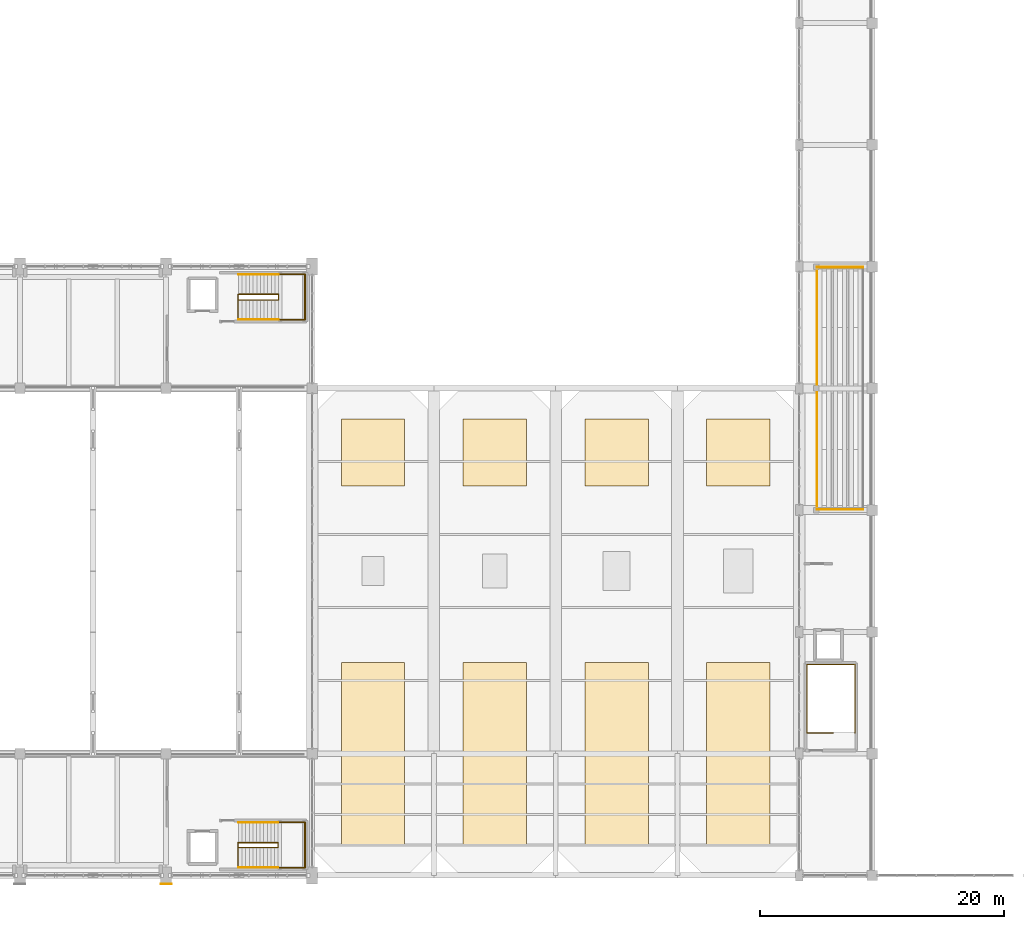
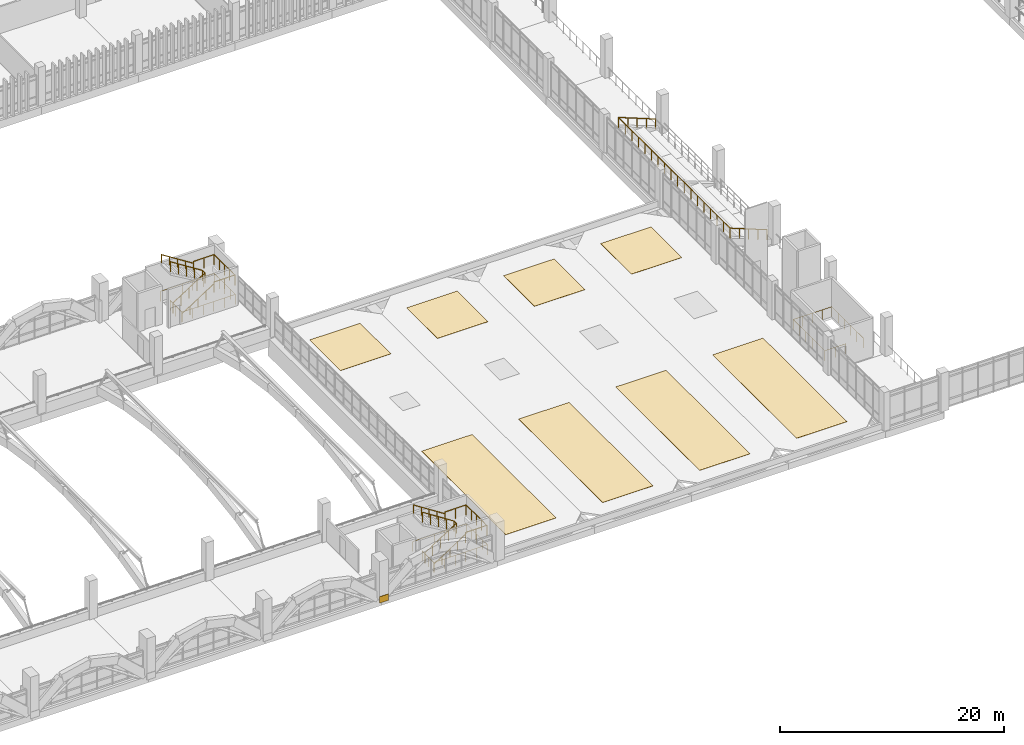
# One storey, part 157 of 161: 14 railings, 9 coverings.
"""IFC4 building model written with IfcOpenShell, lengths in metres."""

from ifc_helpers import new_model, si_unit, direction, frame, origin, origin_2d, place, context, subcontext, project, spatial, polyline, circle, outline, extrude, material, layer, layer_set, type_object, element, save


model = new_model("IFC4")

# Units and contexts
model_context = context("Model", 3, precision=1e-05, world=origin(), true_north=direction((0.0, 1.0)))
body_context = subcontext(model_context, "Body", "Model", "MODEL_VIEW")
ifc_project = project(units=[si_unit("LENGTHUNIT", "METRE"), si_unit("AREAUNIT", "SQUARE_METRE"), si_unit("VOLUMEUNIT", "CUBIC_METRE"), si_unit("PLANEANGLEUNIT", "RADIAN"), si_unit("MASSUNIT", "GRAM", prefix="KILO")], contexts=[model_context])

# Site, building, storey
site_placement = place(None, origin())
site = spatial("IfcSite", under=ifc_project, at=site_placement, CompositionType="ELEMENT")
building_placement = place(site_placement, origin())
building = spatial("IfcBuilding", under=site, at=building_placement, Name="Mersad Railyard Sports Hall", CompositionType="ELEMENT")
storey_placement = place(building_placement, frame((0.0, 0.0, 4.800048828125)))
storey = spatial("IfcBuildingStorey", under=building, at=storey_placement, Name="L01", CompositionType="ELEMENT", Elevation=4.800048828125)

# Coverings
ifc_material_1 = material(Name="Precast concrete C45/55", Category="concrete")
ifc_layer_1 = layer(ifc_material_1, 0.0400390625)
ifc_layer_set_1 = layer_set([ifc_layer_1], Name="Precast concrete C45/55")
covering_type_1 = type_object("IfcCoveringType", Name="ARC-CV-CD01", PredefinedType="CLADDING", material=ifc_layer_set_1)
covering_1_placement = place(storey_placement, frame((0.0, 0.0, -0.300048828125)))
element("IfcCovering", 1, at=covering_1_placement, inside=storey, type_object=covering_type_1, Name="Arcade pier precast cladding 6 040", PredefinedType="CLADDING", context=body_context, shape_type="SweptSolid", body=[
    extrude(outline(polyline([(78.550048828125, 2.77001953125), (79.449951171875, 2.77001953125), (79.449951171875, 2.81005859375), (78.550048828125, 2.81005859375), (78.550048828125, 2.77001953125)])), origin(), (0.0, 0.0, 1.0), 0.699951171875),
])
ifc_material_2 = material(Name="Roofing membrane")
ifc_layer_2 = layer(ifc_material_2, 0.02001953125)
ifc_layer_set_2 = layer_set([ifc_layer_2], Name="Roofing membrane")
covering_type_2 = type_object("IfcCoveringType", Name="ARC-CV-RF01", PredefinedType="ROOFING", material=ifc_layer_set_2)
covering_2_placement = place(storey_placement, origin())
element("IfcCovering", 2, at=covering_2_placement, inside=storey, type_object=covering_type_2, Name="Foyer roof membrane 1A 027", PredefinedType="ROOFING", context=body_context, shape_type="SweptSolid", body=[
    extrude(outline(polyline([(93.39990234375, 6.0), (98.60009765625, 6.0), (98.60009765625, 21.0), (93.39990234375, 21.0), (93.39990234375, 6.0)])), origin(), (0.0, 0.0, 1.0), 0.02001953125),
])
covering_3_placement = place(storey_placement, origin())
element("IfcCovering", 3, at=covering_3_placement, inside=storey, type_object=covering_type_2, Name="Foyer roof membrane 1B 028", PredefinedType="ROOFING", context=body_context, shape_type="SweptSolid", body=[
    extrude(outline(polyline([(93.39990234375, 35.5), (98.60009765625, 35.5), (98.60009765625, 41.0), (93.39990234375, 41.0), (93.39990234375, 35.5)])), origin(), (0.0, 0.0, 1.0), 0.02001953125),
])
covering_4_placement = place(storey_placement, origin())
element("IfcCovering", 4, at=covering_4_placement, inside=storey, type_object=covering_type_2, Name="Foyer roof membrane 2A 029", PredefinedType="ROOFING", context=body_context, shape_type="SweptSolid", body=[
    extrude(outline(polyline([(103.39990234375, 6.0), (108.60009765625, 6.0), (108.60009765625, 21.0), (103.39990234375, 21.0), (103.39990234375, 6.0)])), origin(), (0.0, 0.0, 1.0), 0.02001953125),
])
covering_5_placement = place(storey_placement, origin())
element("IfcCovering", 5, at=covering_5_placement, inside=storey, type_object=covering_type_2, Name="Foyer roof membrane 2B 030", PredefinedType="ROOFING", context=body_context, shape_type="SweptSolid", body=[
    extrude(outline(polyline([(103.39990234375, 35.5), (108.60009765625, 35.5), (108.60009765625, 41.0), (103.39990234375, 41.0), (103.39990234375, 35.5)])), origin(), (0.0, 0.0, 1.0), 0.02001953125),
])
covering_6_placement = place(storey_placement, origin())
element("IfcCovering", 6, at=covering_6_placement, inside=storey, type_object=covering_type_2, Name="Foyer roof membrane 3A 031", PredefinedType="ROOFING", context=body_context, shape_type="SweptSolid", body=[
    extrude(outline(polyline([(113.39990234375, 6.0), (118.60009765625, 6.0), (118.60009765625, 21.0), (113.39990234375, 21.0), (113.39990234375, 6.0)])), origin(), (0.0, 0.0, 1.0), 0.02001953125),
])
covering_7_placement = place(storey_placement, origin())
element("IfcCovering", 7, at=covering_7_placement, inside=storey, type_object=covering_type_2, Name="Foyer roof membrane 3B 032", PredefinedType="ROOFING", context=body_context, shape_type="SweptSolid", body=[
    extrude(outline(polyline([(113.39990234375, 35.5), (118.60009765625, 35.5), (118.60009765625, 41.0), (113.39990234375, 41.0), (113.39990234375, 35.5)])), origin(), (0.0, 0.0, 1.0), 0.02001953125),
])
covering_8_placement = place(storey_placement, origin())
element("IfcCovering", 8, at=covering_8_placement, inside=storey, type_object=covering_type_2, Name="Foyer roof membrane 4A 033", PredefinedType="ROOFING", context=body_context, shape_type="SweptSolid", body=[
    extrude(outline(polyline([(123.39990234375, 6.0), (128.60009765625, 6.0), (128.60009765625, 21.0), (123.39990234375, 21.0), (123.39990234375, 6.0)])), origin(), (0.0, 0.0, 1.0), 0.02001953125),
])
covering_9_placement = place(storey_placement, origin())
element("IfcCovering", 9, at=covering_9_placement, inside=storey, type_object=covering_type_2, Name="Foyer roof membrane 4B 034", PredefinedType="ROOFING", context=body_context, shape_type="SweptSolid", body=[
    extrude(outline(polyline([(123.39990234375, 35.5), (128.60009765625, 35.5), (128.60009765625, 41.0), (123.39990234375, 41.0), (123.39990234375, 35.5)])), origin(), (0.0, 0.0, 1.0), 0.02001953125),
])

# Railings
ifc_material_3 = material(Name="Steel S355", Category="steel")
railing_type_1 = type_object("IfcRailingType", Name="ARC-RL-GR01", PredefinedType="GUARDRAIL", material=ifc_material_3)
railing_1_placement = place(storey_placement, frame((84.909912109375, 6.18994140625, 0.0)))
element("IfcRailing", 10, at=railing_1_placement, inside=storey, type_object=railing_type_1, Name="Interior guard GR01-0115", PredefinedType="GUARDRAIL", context=body_context, shape_type="SweptSolid", body=[
    extrude(circle(Radius=0.02392578125, at=origin_2d()), frame((0.0, 0.0, 1.09619140625), z_axis=(0.0, -1.0, 0.0), x_axis=(1.0, 0.0, 0.0)), (0.0, 0.0, 1.0), 2.06982421875),
    extrude(circle(Radius=0.02392578125, at=origin_2d()), frame((0.0, -2.06982421875, 1.09619140625), z_axis=(1.0, 0.0, 0.0), x_axis=(0.0, 1.0, 0.0)), (0.0, 0.0, 1.0), 5.52001953125),
    extrude(circle(Radius=0.02392578125, at=origin_2d()), frame((5.52001953125, -2.06982421875, 1.09619140625), z_axis=(0.0, 1.0, 0.0), x_axis=(-1.0, 0.0, 0.0)), (0.0, 0.0, 1.0), 3.759765625),
    extrude(circle(Radius=0.02392578125, at=origin_2d()), frame((5.52001953125, 1.68994140625, 1.09619140625), z_axis=(-1.0, 0.0, 0.0), x_axis=(0.0, -1.0, 0.0)), (0.0, 0.0, 1.0), 5.52001953125),
    extrude(circle(Radius=0.02099609375, at=origin_2d()), origin(), (0.0, 0.0, 1.0), 1.072021484375),
    extrude(circle(Radius=0.02099609375, at=origin_2d()), frame((0.0, -1.034912109375, 0.0)), (0.0, 0.0, 1.0), 1.072021484375),
    extrude(circle(Radius=0.02099609375, at=origin_2d()), frame((0.0, -2.06982421875, 0.0)), (0.0, 0.0, 1.0), 1.072021484375),
    extrude(circle(Radius=0.02099609375, at=origin_2d()), frame((1.10400390625, -2.06982421875, 0.0)), (0.0, 0.0, 1.0), 1.072021484375),
    extrude(circle(Radius=0.02099609375, at=origin_2d()), frame((2.2080078125, -2.06982421875, 0.0)), (0.0, 0.0, 1.0), 1.072021484375),
    extrude(circle(Radius=0.02099609375, at=origin_2d()), frame((3.31201171875, -2.06982421875, 0.0)), (0.0, 0.0, 1.0), 1.072021484375),
    extrude(circle(Radius=0.02099609375, at=origin_2d()), frame((4.416015625, -2.06982421875, 0.0)), (0.0, 0.0, 1.0), 1.072021484375),
    extrude(circle(Radius=0.02099609375, at=origin_2d()), frame((5.52001953125, -2.06982421875, 0.0)), (0.0, 0.0, 1.0), 1.072021484375),
    extrude(circle(Radius=0.02099609375, at=origin_2d()), frame((5.52001953125, -1.1298828125, 0.0)), (0.0, 0.0, 1.0), 1.072021484375),
    extrude(circle(Radius=0.02099609375, at=origin_2d()), frame((5.52001953125, -0.18994140625, 0.0)), (0.0, 0.0, 1.0), 1.072021484375),
    extrude(circle(Radius=0.02099609375, at=origin_2d()), frame((5.52001953125, 0.75, 0.0)), (0.0, 0.0, 1.0), 1.072021484375),
    extrude(circle(Radius=0.02099609375, at=origin_2d()), frame((5.52001953125, 1.68994140625, 0.0)), (0.0, 0.0, 1.0), 1.072021484375),
    extrude(circle(Radius=0.02099609375, at=origin_2d()), frame((4.416015625, 1.68994140625, 0.0)), (0.0, 0.0, 1.0), 1.072021484375),
    extrude(circle(Radius=0.02099609375, at=origin_2d()), frame((3.31201171875, 1.68994140625, 0.0)), (0.0, 0.0, 1.0), 1.072021484375),
    extrude(circle(Radius=0.02099609375, at=origin_2d()), frame((2.2080078125, 1.68994140625, 0.0)), (0.0, 0.0, 1.0), 1.072021484375),
    extrude(circle(Radius=0.02099609375, at=origin_2d()), frame((1.10400390625, 1.68994140625, 0.0)), (0.0, 0.0, 1.0), 1.072021484375),
    extrude(circle(Radius=0.02099609375, at=origin_2d()), frame((0.0, 1.68994140625, 0.0)), (0.0, 0.0, 1.0), 1.072021484375),
])
railing_2_placement = place(storey_placement, frame((84.949951171875, 5.81005859375, 0.0)))
element("IfcRailing", 11, at=railing_2_placement, inside=storey, type_object=railing_type_1, Name="Interior guard GR01-0118", PredefinedType="GUARDRAIL", context=body_context, shape_type="SweptSolid", body=[
    extrude(circle(Radius=0.02392578125, at=origin_2d()), frame((0.0, 0.0, 1.09619140625), z_axis=(0.84039756476, 0.0, 0.541970417223), x_axis=(0.0, 1.0, 0.0)), (0.0, 0.0, 1.0), 3.87451171875),
    extrude(circle(Radius=0.02392578125, at=origin_2d()), frame((3.256103515625, 0.0, 3.19580078125), z_axis=(0.0, 1.0, 0.0), x_axis=(-1.0, 0.0, 0.0)), (0.0, 0.0, 1.0), 0.3798828125),
    extrude(circle(Radius=0.02392578125, at=origin_2d()), frame((3.256103515625, 0.3798828125, 3.19580078125), z_axis=(-0.840368864225, 0.0, 0.542014918652), x_axis=(0.0, -1.0, 0.0)), (0.0, 0.0, 1.0), 3.87451171875),
    extrude(circle(Radius=0.02099609375, at=origin_2d()), origin(), (0.0, 0.0, 1.0), 1.072021484375),
    extrude(circle(Radius=0.02099609375, at=origin_2d()), frame((0.81396484375, 0.0, 0.52490234375)), (0.0, 0.0, 1.0), 1.072021484375),
    extrude(circle(Radius=0.02099609375, at=origin_2d()), frame((1.6279296875, 0.0, 1.0498046875)), (0.0, 0.0, 1.0), 1.072021484375),
    extrude(circle(Radius=0.02099609375, at=origin_2d()), frame((2.442138671875, 0.0, 1.574951171875)), (0.0, 0.0, 1.0), 1.072021484375),
    extrude(circle(Radius=0.02099609375, at=origin_2d()), frame((3.256103515625, 0.0, 2.099853515625)), (0.0, 0.0, 1.0), 1.072021484375),
    extrude(circle(Radius=0.02099609375, at=origin_2d()), frame((3.256103515625, 0.3798828125, 2.099853515625)), (0.0, 0.0, 1.0), 1.072021484375),
    extrude(circle(Radius=0.02099609375, at=origin_2d()), frame((2.442138671875, 0.3798828125, 2.625)), (0.0, 0.0, 1.0), 1.072021484375),
    extrude(circle(Radius=0.02099609375, at=origin_2d()), frame((1.6279296875, 0.3798828125, 3.14990234375)), (0.0, 0.0, 1.0), 1.072021484375),
    extrude(circle(Radius=0.02099609375, at=origin_2d()), frame((0.81396484375, 0.3798828125, 3.6748046875)), (0.0, 0.0, 1.0), 1.072021484375),
    extrude(circle(Radius=0.02099609375, at=origin_2d()), frame((0.0, 0.3798828125, 4.199951171875)), (0.0, 0.0, 1.0), 1.072021484375),
])
railing_3_placement = place(storey_placement, frame((88.2060546875, 4.159912109375, 2.099853515625)))
element("IfcRailing", 12, at=railing_3_placement, inside=storey, type_object=railing_type_1, Name="Interior guard GR01-0119", PredefinedType="GUARDRAIL", context=body_context, shape_type="SweptSolid", body=[
    extrude(circle(Radius=0.02392578125, at=origin_2d()), frame((0.0, 0.0, 1.09619140625), z_axis=(1.0, 0.0, 0.0), x_axis=(0.0, 1.0, 0.0)), (0.0, 0.0, 1.0), 2.183837890625),
    extrude(circle(Radius=0.02392578125, at=origin_2d()), frame((2.183837890625, 0.0, 1.09619140625), z_axis=(0.0, 1.0, 0.0), x_axis=(-1.0, 0.0, 0.0)), (0.0, 0.0, 1.0), 3.68017578125),
    extrude(circle(Radius=0.02392578125, at=origin_2d()), frame((2.183837890625, 3.68017578125, 1.09619140625), z_axis=(-1.0, 0.0, 0.0), x_axis=(0.0, -1.0, 0.0)), (0.0, 0.0, 1.0), 2.183837890625),
    extrude(circle(Radius=0.02099609375, at=origin_2d()), origin(), (0.0, 0.0, 1.0), 1.072021484375),
    extrude(circle(Radius=0.02099609375, at=origin_2d()), frame((1.091796875, 0.0, 0.0)), (0.0, 0.0, 1.0), 1.072021484375),
    extrude(circle(Radius=0.02099609375, at=origin_2d()), frame((2.183837890625, 0.0, 0.0)), (0.0, 0.0, 1.0), 1.072021484375),
    extrude(circle(Radius=0.02099609375, at=origin_2d()), frame((2.183837890625, 0.919921875, 0.0)), (0.0, 0.0, 1.0), 1.072021484375),
    extrude(circle(Radius=0.02099609375, at=origin_2d()), frame((2.183837890625, 1.840087890625, 0.0)), (0.0, 0.0, 1.0), 1.072021484375),
    extrude(circle(Radius=0.02099609375, at=origin_2d()), frame((2.183837890625, 2.76025390625, 0.0)), (0.0, 0.0, 1.0), 1.072021484375),
    extrude(circle(Radius=0.02099609375, at=origin_2d()), frame((2.183837890625, 3.68017578125, 0.0)), (0.0, 0.0, 1.0), 1.072021484375),
    extrude(circle(Radius=0.02099609375, at=origin_2d()), frame((1.091796875, 3.68017578125, 0.0)), (0.0, 0.0, 1.0), 1.072021484375),
    extrude(circle(Radius=0.02099609375, at=origin_2d()), frame((0.0, 3.68017578125, 0.0)), (0.0, 0.0, 1.0), 1.072021484375),
])
railing_4_placement = place(storey_placement, frame((84.909912109375, 51.22998046875, 0.0)))
element("IfcRailing", 13, at=railing_4_placement, inside=storey, type_object=railing_type_1, Name="Interior guard GR01-0135", PredefinedType="GUARDRAIL", context=body_context, shape_type="SweptSolid", body=[
    extrude(circle(Radius=0.02392578125, at=origin_2d()), frame((0.0, 0.0, 1.09619140625), z_axis=(0.0, -1.0, 0.0), x_axis=(1.0, 0.0, 0.0)), (0.0, 0.0, 1.0), 2.10986328125),
    extrude(circle(Radius=0.02392578125, at=origin_2d()), frame((0.0, -2.10986328125, 1.09619140625), z_axis=(1.0, 0.0, 0.0), x_axis=(0.0, 1.0, 0.0)), (0.0, 0.0, 1.0), 5.52001953125),
    extrude(circle(Radius=0.02392578125, at=origin_2d()), frame((5.52001953125, -2.10986328125, 1.09619140625), z_axis=(0.0, 1.0, 0.0), x_axis=(-1.0, 0.0, 0.0)), (0.0, 0.0, 1.0), 3.759765625),
    extrude(circle(Radius=0.02392578125, at=origin_2d()), frame((5.52001953125, 1.64990234375, 1.09619140625), z_axis=(-1.0, 0.0, 0.0), x_axis=(0.0, -1.0, 0.0)), (0.0, 0.0, 1.0), 5.52001953125),
    extrude(circle(Radius=0.02099609375, at=origin_2d()), origin(), (0.0, 0.0, 1.0), 1.072021484375),
    extrude(circle(Radius=0.02099609375, at=origin_2d()), frame((0.0, -1.054931640625, 0.0)), (0.0, 0.0, 1.0), 1.072021484375),
    extrude(circle(Radius=0.02099609375, at=origin_2d()), frame((0.0, -2.10986328125, 0.0)), (0.0, 0.0, 1.0), 1.072021484375),
    extrude(circle(Radius=0.02099609375, at=origin_2d()), frame((1.10400390625, -2.10986328125, 0.0)), (0.0, 0.0, 1.0), 1.072021484375),
    extrude(circle(Radius=0.02099609375, at=origin_2d()), frame((2.2080078125, -2.10986328125, 0.0)), (0.0, 0.0, 1.0), 1.072021484375),
    extrude(circle(Radius=0.02099609375, at=origin_2d()), frame((3.31201171875, -2.10986328125, 0.0)), (0.0, 0.0, 1.0), 1.072021484375),
    extrude(circle(Radius=0.02099609375, at=origin_2d()), frame((4.416015625, -2.10986328125, 0.0)), (0.0, 0.0, 1.0), 1.072021484375),
    extrude(circle(Radius=0.02099609375, at=origin_2d()), frame((5.52001953125, -2.10986328125, 0.0)), (0.0, 0.0, 1.0), 1.072021484375),
    extrude(circle(Radius=0.02099609375, at=origin_2d()), frame((5.52001953125, -1.169921875, 0.0)), (0.0, 0.0, 1.0), 1.072021484375),
    extrude(circle(Radius=0.02099609375, at=origin_2d()), frame((5.52001953125, -0.22998046875, 0.0)), (0.0, 0.0, 1.0), 1.072021484375),
    extrude(circle(Radius=0.02099609375, at=origin_2d()), frame((5.52001953125, 0.7099609375, 0.0)), (0.0, 0.0, 1.0), 1.072021484375),
    extrude(circle(Radius=0.02099609375, at=origin_2d()), frame((5.52001953125, 1.64990234375, 0.0)), (0.0, 0.0, 1.0), 1.072021484375),
    extrude(circle(Radius=0.02099609375, at=origin_2d()), frame((4.416015625, 1.64990234375, 0.0)), (0.0, 0.0, 1.0), 1.072021484375),
    extrude(circle(Radius=0.02099609375, at=origin_2d()), frame((3.31201171875, 1.64990234375, 0.0)), (0.0, 0.0, 1.0), 1.072021484375),
    extrude(circle(Radius=0.02099609375, at=origin_2d()), frame((2.2080078125, 1.64990234375, 0.0)), (0.0, 0.0, 1.0), 1.072021484375),
    extrude(circle(Radius=0.02099609375, at=origin_2d()), frame((1.10400390625, 1.64990234375, 0.0)), (0.0, 0.0, 1.0), 1.072021484375),
    extrude(circle(Radius=0.02099609375, at=origin_2d()), frame((0.0, 1.64990234375, 0.0)), (0.0, 0.0, 1.0), 1.072021484375),
])
railing_5_placement = place(storey_placement, frame((84.949951171875, 50.77001953125, 0.0)))
element("IfcRailing", 14, at=railing_5_placement, inside=storey, type_object=railing_type_1, Name="Interior guard GR01-0138", PredefinedType="GUARDRAIL", context=body_context, shape_type="SweptSolid", body=[
    extrude(circle(Radius=0.02392578125, at=origin_2d()), frame((0.0, 0.0, 1.09619140625), z_axis=(0.843682047799, 0.0, 0.53684318215), x_axis=(0.0, 1.0, 0.0)), (0.0, 0.0, 1.0), 3.911376953125),
    extrude(circle(Radius=0.02392578125, at=origin_2d()), frame((3.300048828125, 0.0, 3.19580078125), z_axis=(0.0, 1.0, 0.0), x_axis=(-1.0, 0.0, 0.0)), (0.0, 0.0, 1.0), 0.4599609375),
    extrude(circle(Radius=0.02392578125, at=origin_2d()), frame((3.300048828125, 0.4599609375, 3.19580078125), z_axis=(-0.843653777646, 0.0, 0.53688760785), x_axis=(0.0, -1.0, 0.0)), (0.0, 0.0, 1.0), 3.91162109375),
    extrude(circle(Radius=0.02099609375, at=origin_2d()), origin(), (0.0, 0.0, 1.0), 1.072021484375),
    extrude(circle(Radius=0.02099609375, at=origin_2d()), frame((0.824951171875, 0.0, 0.52490234375)), (0.0, 0.0, 1.0), 1.072021484375),
    extrude(circle(Radius=0.02099609375, at=origin_2d()), frame((1.64990234375, 0.0, 1.0498046875)), (0.0, 0.0, 1.0), 1.072021484375),
    extrude(circle(Radius=0.02099609375, at=origin_2d()), frame((2.47509765625, 0.0, 1.574951171875)), (0.0, 0.0, 1.0), 1.072021484375),
    extrude(circle(Radius=0.02099609375, at=origin_2d()), frame((3.300048828125, 0.0, 2.099853515625)), (0.0, 0.0, 1.0), 1.072021484375),
    extrude(circle(Radius=0.02099609375, at=origin_2d()), frame((3.300048828125, 0.4599609375, 2.099853515625)), (0.0, 0.0, 1.0), 1.072021484375),
    extrude(circle(Radius=0.02099609375, at=origin_2d()), frame((2.47509765625, 0.4599609375, 2.625)), (0.0, 0.0, 1.0), 1.072021484375),
    extrude(circle(Radius=0.02099609375, at=origin_2d()), frame((1.64990234375, 0.4599609375, 3.14990234375)), (0.0, 0.0, 1.0), 1.072021484375),
    extrude(circle(Radius=0.02099609375, at=origin_2d()), frame((0.824951171875, 0.4599609375, 3.6748046875)), (0.0, 0.0, 1.0), 1.072021484375),
    extrude(circle(Radius=0.02099609375, at=origin_2d()), frame((0.0, 0.4599609375, 4.199951171875)), (0.0, 0.0, 1.0), 1.072021484375),
])
railing_6_placement = place(storey_placement, frame((88.25, 49.159912109375, 2.099853515625)))
element("IfcRailing", 15, at=railing_6_placement, inside=storey, type_object=railing_type_1, Name="Interior guard GR01-0139", PredefinedType="GUARDRAIL", context=body_context, shape_type="SweptSolid", body=[
    extrude(circle(Radius=0.02392578125, at=origin_2d()), frame((0.0, 0.0, 1.09619140625), z_axis=(1.0, 0.0, 0.0), x_axis=(0.0, 1.0, 0.0)), (0.0, 0.0, 1.0), 2.139892578125),
    extrude(circle(Radius=0.02392578125, at=origin_2d()), frame((2.139892578125, 0.0, 1.09619140625), z_axis=(0.0, 1.0, 0.0), x_axis=(-1.0, 0.0, 0.0)), (0.0, 0.0, 1.0), 3.68017578125),
    extrude(circle(Radius=0.02392578125, at=origin_2d()), frame((2.139892578125, 3.68017578125, 1.09619140625), z_axis=(-1.0, 0.0, 0.0), x_axis=(0.0, -1.0, 0.0)), (0.0, 0.0, 1.0), 2.139892578125),
    extrude(circle(Radius=0.02099609375, at=origin_2d()), origin(), (0.0, 0.0, 1.0), 1.072021484375),
    extrude(circle(Radius=0.02099609375, at=origin_2d()), frame((1.06982421875, 0.0, 0.0)), (0.0, 0.0, 1.0), 1.072021484375),
    extrude(circle(Radius=0.02099609375, at=origin_2d()), frame((2.139892578125, 0.0, 0.0)), (0.0, 0.0, 1.0), 1.072021484375),
    extrude(circle(Radius=0.02099609375, at=origin_2d()), frame((2.139892578125, 0.919921875, 0.0)), (0.0, 0.0, 1.0), 1.072021484375),
    extrude(circle(Radius=0.02099609375, at=origin_2d()), frame((2.139892578125, 1.840087890625, 0.0)), (0.0, 0.0, 1.0), 1.072021484375),
    extrude(circle(Radius=0.02099609375, at=origin_2d()), frame((2.139892578125, 2.76025390625, 0.0)), (0.0, 0.0, 1.0), 1.072021484375),
    extrude(circle(Radius=0.02099609375, at=origin_2d()), frame((2.139892578125, 3.68017578125, 0.0)), (0.0, 0.0, 1.0), 1.072021484375),
    extrude(circle(Radius=0.02099609375, at=origin_2d()), frame((1.06982421875, 3.68017578125, 0.0)), (0.0, 0.0, 1.0), 1.072021484375),
    extrude(circle(Radius=0.02099609375, at=origin_2d()), frame((0.0, 3.68017578125, 0.0)), (0.0, 0.0, 1.0), 1.072021484375),
])
railing_7_placement = place(storey_placement, frame((133.7900390625, 15.2099609375, 0.0)))
element("IfcRailing", 16, at=railing_7_placement, inside=storey, type_object=railing_type_1, Name="Interior guard GR01-0145", PredefinedType="GUARDRAIL", context=body_context, shape_type="SweptSolid", body=[
    extrude(circle(Radius=0.02392578125, at=origin_2d()), frame((0.0, 0.0, 1.09619140625), z_axis=(-1.0, 0.0, 0.0), x_axis=(0.0, -1.0, 0.0)), (0.0, 0.0, 1.0), 2.169921875),
    extrude(circle(Radius=0.02392578125, at=origin_2d()), frame((-2.169921875, 0.0, 1.09619140625), z_axis=(0.0, 1.0, 0.0), x_axis=(-1.0, 0.0, 0.0)), (0.0, 0.0, 1.0), 5.6201171875),
    extrude(circle(Radius=0.02392578125, at=origin_2d()), frame((-2.169921875, 5.6201171875, 1.09619140625), z_axis=(1.0, 0.0, 0.0), x_axis=(0.0, 1.0, 0.0)), (0.0, 0.0, 1.0), 3.9599609375),
    extrude(circle(Radius=0.02392578125, at=origin_2d()), frame((1.7900390625, 5.6201171875, 1.09619140625), z_axis=(0.0, -1.0, 0.0), x_axis=(1.0, 0.0, 0.0)), (0.0, 0.0, 1.0), 5.6201171875),
    extrude(circle(Radius=0.02099609375, at=origin_2d()), origin(), (0.0, 0.0, 1.0), 1.072021484375),
    extrude(circle(Radius=0.02099609375, at=origin_2d()), frame((-1.0849609375, 0.0, 0.0)), (0.0, 0.0, 1.0), 1.072021484375),
    extrude(circle(Radius=0.02099609375, at=origin_2d()), frame((-2.169921875, 0.0, 0.0)), (0.0, 0.0, 1.0), 1.072021484375),
    extrude(circle(Radius=0.02099609375, at=origin_2d()), frame((-2.169921875, 1.1240234375, 0.0)), (0.0, 0.0, 1.0), 1.072021484375),
    extrude(circle(Radius=0.02099609375, at=origin_2d()), frame((-2.169921875, 2.248046875, 0.0)), (0.0, 0.0, 1.0), 1.072021484375),
    extrude(circle(Radius=0.02099609375, at=origin_2d()), frame((-2.169921875, 3.3720703125, 0.0)), (0.0, 0.0, 1.0), 1.072021484375),
    extrude(circle(Radius=0.02099609375, at=origin_2d()), frame((-2.169921875, 4.49609375, 0.0)), (0.0, 0.0, 1.0), 1.072021484375),
    extrude(circle(Radius=0.02099609375, at=origin_2d()), frame((-2.169921875, 5.6201171875, 0.0)), (0.0, 0.0, 1.0), 1.072021484375),
    extrude(circle(Radius=0.02099609375, at=origin_2d()), frame((-1.179931640625, 5.6201171875, 0.0)), (0.0, 0.0, 1.0), 1.072021484375),
    extrude(circle(Radius=0.02099609375, at=origin_2d()), frame((-0.18994140625, 5.6201171875, 0.0)), (0.0, 0.0, 1.0), 1.072021484375),
    extrude(circle(Radius=0.02099609375, at=origin_2d()), frame((0.800048828125, 5.6201171875, 0.0)), (0.0, 0.0, 1.0), 1.072021484375),
    extrude(circle(Radius=0.02099609375, at=origin_2d()), frame((1.7900390625, 5.6201171875, 0.0)), (0.0, 0.0, 1.0), 1.072021484375),
    extrude(circle(Radius=0.02099609375, at=origin_2d()), frame((1.7900390625, 4.49609375, 0.0)), (0.0, 0.0, 1.0), 1.072021484375),
    extrude(circle(Radius=0.02099609375, at=origin_2d()), frame((1.7900390625, 3.3720703125, 0.0)), (0.0, 0.0, 1.0), 1.072021484375),
    extrude(circle(Radius=0.02099609375, at=origin_2d()), frame((1.7900390625, 2.248046875, 0.0)), (0.0, 0.0, 1.0), 1.072021484375),
    extrude(circle(Radius=0.02099609375, at=origin_2d()), frame((1.7900390625, 1.1240234375, 0.0)), (0.0, 0.0, 1.0), 1.072021484375),
    extrude(circle(Radius=0.02099609375, at=origin_2d()), frame((1.7900390625, 0.0, 0.0)), (0.0, 0.0, 1.0), 1.072021484375),
])
railing_8_placement = place(storey_placement, frame((132.449951171875, 33.550048828125, 1.949951171875)))
element("IfcRailing", 17, at=railing_8_placement, inside=storey, type_object=railing_type_1, Name="Interior guard GR01-0186", PredefinedType="GUARDRAIL", context=body_context, shape_type="SweptSolid", body=[
    extrude(circle(Radius=0.02392578125, at=origin_2d()), frame((0.0, 0.0, 1.09619140625), z_axis=(0.0, 1.0, 0.0), x_axis=(-1.0, 0.0, 0.0)), (0.0, 0.0, 1.0), 19.89990234375),
    extrude(circle(Radius=0.02099609375, at=origin_2d()), origin(), (0.0, 0.0, 1.0), 1.072021484375),
    extrude(circle(Radius=0.02099609375, at=origin_2d()), frame((0.0, 1.170654296875, 0.0)), (0.0, 0.0, 1.0), 1.072021484375),
    extrude(circle(Radius=0.02099609375, at=origin_2d()), frame((0.0, 2.341064453125, 0.0)), (0.0, 0.0, 1.0), 1.072021484375),
    extrude(circle(Radius=0.02099609375, at=origin_2d()), frame((0.0, 3.51171875, 0.0)), (0.0, 0.0, 1.0), 1.072021484375),
    extrude(circle(Radius=0.02099609375, at=origin_2d()), frame((0.0, 4.682373046875, 0.0)), (0.0, 0.0, 1.0), 1.072021484375),
    extrude(circle(Radius=0.02099609375, at=origin_2d()), frame((0.0, 5.85302734375, 0.0)), (0.0, 0.0, 1.0), 1.072021484375),
    extrude(circle(Radius=0.02099609375, at=origin_2d()), frame((0.0, 7.0234375, 0.0)), (0.0, 0.0, 1.0), 1.072021484375),
    extrude(circle(Radius=0.02099609375, at=origin_2d()), frame((0.0, 8.194091796875, 0.0)), (0.0, 0.0, 1.0), 1.072021484375),
    extrude(circle(Radius=0.02099609375, at=origin_2d()), frame((0.0, 9.36474609375, 0.0)), (0.0, 0.0, 1.0), 1.072021484375),
    extrude(circle(Radius=0.02099609375, at=origin_2d()), frame((0.0, 10.53515625, 0.0)), (0.0, 0.0, 1.0), 1.072021484375),
    extrude(circle(Radius=0.02099609375, at=origin_2d()), frame((0.0, 11.705810546875, 0.0)), (0.0, 0.0, 1.0), 1.072021484375),
    extrude(circle(Radius=0.02099609375, at=origin_2d()), frame((0.0, 12.87646484375, 0.0)), (0.0, 0.0, 1.0), 1.072021484375),
    extrude(circle(Radius=0.02099609375, at=origin_2d()), frame((0.0, 14.046875, 0.0)), (0.0, 0.0, 1.0), 1.072021484375),
    extrude(circle(Radius=0.02099609375, at=origin_2d()), frame((0.0, 15.217529296875, 0.0)), (0.0, 0.0, 1.0), 1.072021484375),
    extrude(circle(Radius=0.02099609375, at=origin_2d()), frame((0.0, 16.38818359375, 0.0)), (0.0, 0.0, 1.0), 1.072021484375),
    extrude(circle(Radius=0.02099609375, at=origin_2d()), frame((0.0, 17.558837890625, 0.0)), (0.0, 0.0, 1.0), 1.072021484375),
    extrude(circle(Radius=0.02099609375, at=origin_2d()), frame((0.0, 18.729248046875, 0.0)), (0.0, 0.0, 1.0), 1.072021484375),
    extrude(circle(Radius=0.02099609375, at=origin_2d()), frame((0.0, 19.89990234375, 0.0)), (0.0, 0.0, 1.0), 1.072021484375),
])
for number, where, name in (
    (18, (132.449951171875, 33.550048828125, 1.949951171875), "Interior guard GR01-0188"),
    (19, (132.449951171875, 53.449951171875, 1.949951171875), "Interior guard GR01-0189"),
):
    element("IfcRailing", number, at=place(storey_placement, frame(where)), inside=storey, type_object=railing_type_1, Name=name, PredefinedType="GUARDRAIL", context=body_context, shape_type="SweptSolid", body=[
        extrude(circle(Radius=0.02392578125, at=origin_2d()), frame((0.0, 0.0, 1.09619140625), z_axis=(0.930156832573, 0.0, -0.367162452896), x_axis=(0.0, 1.0, 0.0)), (0.0, 0.0, 1.0), 4.08544921875),
        extrude(circle(Radius=0.02099609375, at=origin_2d()), origin(), (0.0, 0.0, 1.0), 1.072021484375),
        extrude(circle(Radius=0.02099609375, at=origin_2d()), frame((0.949951171875, 0.0, -0.375)), (0.0, 0.0, 1.0), 1.072021484375),
        extrude(circle(Radius=0.02099609375, at=origin_2d()), frame((1.89990234375, 0.0, -0.75)), (0.0, 0.0, 1.0), 1.072021484375),
        extrude(circle(Radius=0.02099609375, at=origin_2d()), frame((2.85009765625, 0.0, -1.125)), (0.0, 0.0, 1.0), 1.072021484375),
        extrude(circle(Radius=0.02099609375, at=origin_2d()), frame((3.800048828125, 0.0, -1.5)), (0.0, 0.0, 1.0), 1.072021484375),
    ])
railing_type_2 = type_object("IfcRailingType", Name="ARC-RL-HR01", PredefinedType="HANDRAIL", material=ifc_material_3)
railing_9_placement = place(storey_placement, frame((84.949951171875, 4.159912109375, 0.0)))
element("IfcRailing", 20, at=railing_9_placement, inside=storey, type_object=railing_type_2, Name="Interior handrail HR01-0116", PredefinedType="HANDRAIL", context=body_context, shape_type="SweptSolid", body=[
    extrude(circle(Radius=0.02392578125, at=origin_2d()), frame((0.0, 0.0, 0.89599609375), z_axis=(0.84039756476, 0.0, 0.541970417223), x_axis=(0.0, 1.0, 0.0)), (0.0, 0.0, 1.0), 3.87451171875),
    extrude(circle(Radius=0.02099609375, at=origin_2d()), origin(), (0.0, 0.0, 1.0), 0.871826171875),
    extrude(circle(Radius=0.02099609375, at=origin_2d()), frame((0.81396484375, 0.0, 0.52490234375)), (0.0, 0.0, 1.0), 0.871826171875),
    extrude(circle(Radius=0.02099609375, at=origin_2d()), frame((1.6279296875, 0.0, 1.0498046875)), (0.0, 0.0, 1.0), 0.871826171875),
    extrude(circle(Radius=0.02099609375, at=origin_2d()), frame((2.442138671875, 0.0, 1.574951171875)), (0.0, 0.0, 1.0), 0.871826171875),
    extrude(circle(Radius=0.02099609375, at=origin_2d()), frame((3.256103515625, 0.0, 2.099853515625)), (0.0, 0.0, 1.0), 0.871826171875),
])
railing_10_placement = place(storey_placement, frame((88.2060546875, 7.840087890625, 2.099853515625)))
element("IfcRailing", 21, at=railing_10_placement, inside=storey, type_object=railing_type_2, Name="Interior handrail HR01-0117", PredefinedType="HANDRAIL", context=body_context, shape_type="SweptSolid", body=[
    extrude(circle(Radius=0.02392578125, at=origin_2d()), frame((0.0, 0.0, 0.89599609375), z_axis=(-0.840368864225, 0.0, 0.542014918652), x_axis=(0.0, -1.0, 0.0)), (0.0, 0.0, 1.0), 3.87451171875),
    extrude(circle(Radius=0.02099609375, at=origin_2d()), origin(), (0.0, 0.0, 1.0), 0.871826171875),
    extrude(circle(Radius=0.02099609375, at=origin_2d()), frame((-0.81396484375, 0.0, 0.52490234375)), (0.0, 0.0, 1.0), 0.871826171875),
    extrude(circle(Radius=0.02099609375, at=origin_2d()), frame((-1.6279296875, 0.0, 1.050048828125)), (0.0, 0.0, 1.0), 0.871826171875),
    extrude(circle(Radius=0.02099609375, at=origin_2d()), frame((-2.442138671875, 0.0, 1.5751953125)), (0.0, 0.0, 1.0), 0.871826171875),
    extrude(circle(Radius=0.02099609375, at=origin_2d()), frame((-3.256103515625, 0.0, 2.10009765625)), (0.0, 0.0, 1.0), 0.871826171875),
])
railing_11_placement = place(storey_placement, frame((84.949951171875, 49.159912109375, 0.0)))
element("IfcRailing", 22, at=railing_11_placement, inside=storey, type_object=railing_type_2, Name="Interior handrail HR01-0136", PredefinedType="HANDRAIL", context=body_context, shape_type="SweptSolid", body=[
    extrude(circle(Radius=0.02392578125, at=origin_2d()), frame((0.0, 0.0, 0.89599609375), z_axis=(0.843682047799, 0.0, 0.53684318215), x_axis=(0.0, 1.0, 0.0)), (0.0, 0.0, 1.0), 3.911376953125),
    extrude(circle(Radius=0.02099609375, at=origin_2d()), origin(), (0.0, 0.0, 1.0), 0.871826171875),
    extrude(circle(Radius=0.02099609375, at=origin_2d()), frame((0.824951171875, 0.0, 0.52490234375)), (0.0, 0.0, 1.0), 0.871826171875),
    extrude(circle(Radius=0.02099609375, at=origin_2d()), frame((1.64990234375, 0.0, 1.0498046875)), (0.0, 0.0, 1.0), 0.871826171875),
    extrude(circle(Radius=0.02099609375, at=origin_2d()), frame((2.47509765625, 0.0, 1.574951171875)), (0.0, 0.0, 1.0), 0.871826171875),
    extrude(circle(Radius=0.02099609375, at=origin_2d()), frame((3.300048828125, 0.0, 2.099853515625)), (0.0, 0.0, 1.0), 0.871826171875),
])
railing_12_placement = place(storey_placement, frame((88.25, 52.840087890625, 2.099853515625)))
element("IfcRailing", 23, at=railing_12_placement, inside=storey, type_object=railing_type_2, Name="Interior handrail HR01-0137", PredefinedType="HANDRAIL", context=body_context, shape_type="SweptSolid", body=[
    extrude(circle(Radius=0.02392578125, at=origin_2d()), frame((0.0, 0.0, 0.89599609375), z_axis=(-0.843653777646, 0.0, 0.53688760785), x_axis=(0.0, -1.0, 0.0)), (0.0, 0.0, 1.0), 3.91162109375),
    extrude(circle(Radius=0.02099609375, at=origin_2d()), origin(), (0.0, 0.0, 1.0), 0.871826171875),
    extrude(circle(Radius=0.02099609375, at=origin_2d()), frame((-0.824951171875, 0.0, 0.52490234375)), (0.0, 0.0, 1.0), 0.871826171875),
    extrude(circle(Radius=0.02099609375, at=origin_2d()), frame((-1.64990234375, 0.0, 1.050048828125)), (0.0, 0.0, 1.0), 0.871826171875),
    extrude(circle(Radius=0.02099609375, at=origin_2d()), frame((-2.47509765625, 0.0, 1.5751953125)), (0.0, 0.0, 1.0), 0.871826171875),
    extrude(circle(Radius=0.02099609375, at=origin_2d()), frame((-3.300048828125, 0.0, 2.10009765625)), (0.0, 0.0, 1.0), 0.871826171875),
])

save(model, "model.ifc")
